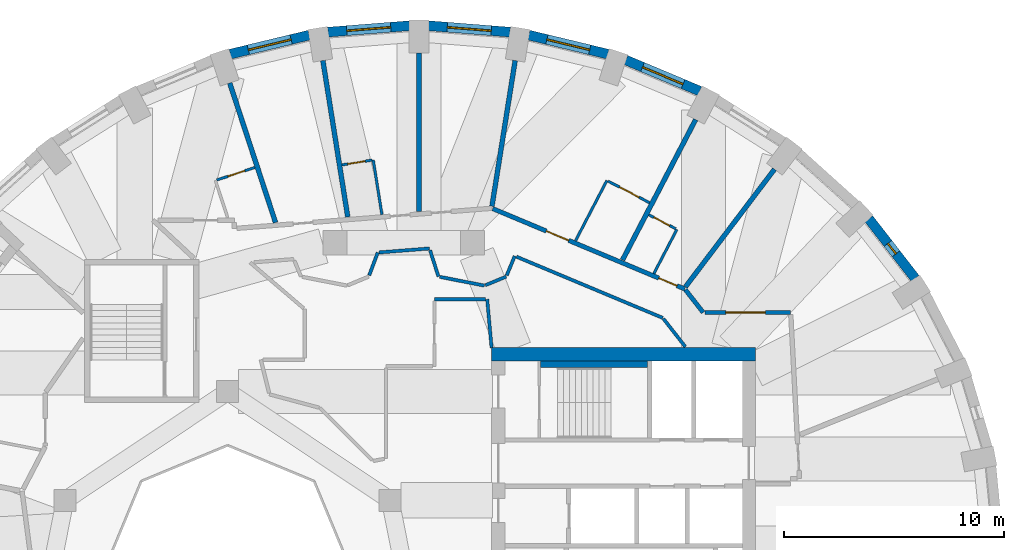
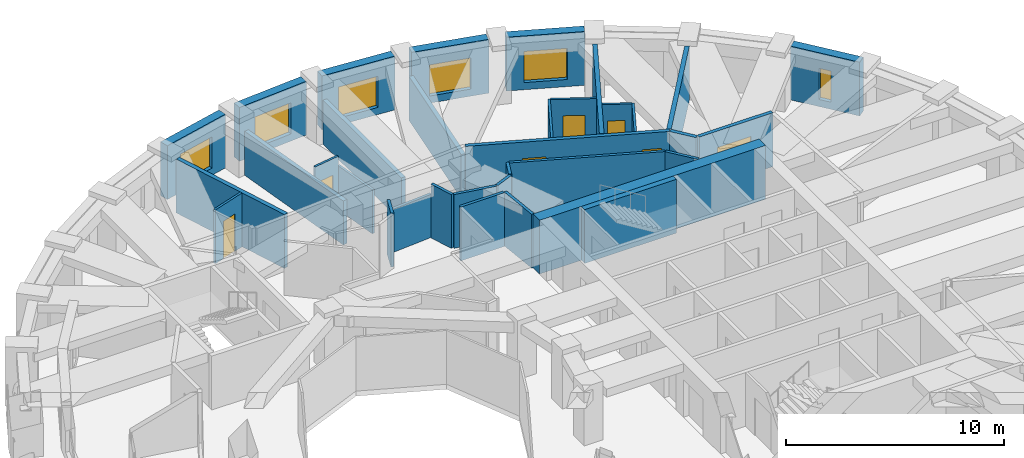
# One storey, part 8 of 12: 34 walls, 7 doors, 6 windows, 13 openings.
"""IFC4 building model written with IfcOpenShell, lengths in metres."""

from ifc_helpers import new_model, si_unit, direction, frame, frame_2d, origin, place, context, subcontext, project, spatial, rectangle, extrude, material, layer, layer_set, type_object, element, fill, save


model = new_model("IFC4")

# Units and contexts
model_context = context("Model", 3, precision=1e-05, world=origin(), true_north=direction((0.0, 1.0)))
body_context = subcontext(model_context, "Body", "Model", "MODEL_VIEW")
ifc_project = project(units=[si_unit("LENGTHUNIT", "METRE"), si_unit("AREAUNIT", "SQUARE_METRE"), si_unit("VOLUMEUNIT", "CUBIC_METRE"), si_unit("PLANEANGLEUNIT", "RADIAN"), si_unit("MASSUNIT", "GRAM", prefix="KILO")], contexts=[model_context])

# Site, building, storey
site_placement = place(None, origin())
site = spatial("IfcSite", under=ifc_project, at=site_placement, CompositionType="ELEMENT")
building_placement = place(site_placement, origin())
building = spatial("IfcBuilding", under=site, at=building_placement, Name="Taillehof Tower", CompositionType="ELEMENT")
storey_placement = place(building_placement, frame((0.0, 0.0, 199.10009765625)))
storey = spatial("IfcBuildingStorey", under=building, at=storey_placement, Name="L56", CompositionType="ELEMENT", Elevation=199.10009765625)

# Wall, opening, window
ifc_material_1 = material(Name="Brick masonry", Category="masonry")
ifc_layer_1 = layer(ifc_material_1, 0.449951171875)
ifc_layer_set_1 = layer_set([ifc_layer_1], Name="Brick infill wall 450")
wall_type_1 = type_object("IfcWallType", Name="Brick infill wall 450", PredefinedType="SOLIDWALL", material=ifc_layer_set_1)
wall_1_placement = place(storey_placement, frame((23.262939453125, 13.148193359375, 0.0), z_axis=(0.0, 0.0, 1.0), x_axis=(-0.614220816451, 0.789134201919, 0.0)))
wall_1 = element("IfcWall", 1, at=wall_1_placement, inside=storey, type_object=wall_type_1, Name="Brick wall L56 bay 4", PredefinedType="SOLIDWALL", context=body_context, shape_type="SweptSolid", body=[
    extrude(rectangle(XDim=3.437744140625, YDim=0.449951171875, at=frame_2d((1.71875, 0.0))), origin(), (0.0, 0.0, 1.0), 3.02001953125),
])
opening_1_placement = place(wall_1_placement, frame((1.4189453125, 0.0, 0.39990234375)))
opening_1 = element("IfcOpeningElement", 2, at=opening_1_placement, cuts=wall_1, Name="Opening W6", PredefinedType="OPENING", context=body_context, shape_type="SweptSolid", body=[
    extrude(rectangle(XDim=0.60009765625, YDim=1.75, at=frame_2d((0.300048828125, 0.875))), frame((0.0, 0.23486328125, 0.0), z_axis=(0.0, -1.0, 0.0), x_axis=(1.0, 0.0, 0.0)), (0.0, 0.0, 1.0), 0.469970703125),
])
ifc_material_2 = material(Name="Aluminium window frame with clear double glazing", Category="aluminium")
window_type_1 = type_object("IfcWindowType", Name="Slot window 600x1750", PartitioningType="SINGLE_PANEL", PredefinedType="WINDOW", material=ifc_material_2)
window_1_placement = place(opening_1_placement, origin())
window_1 = element("IfcWindow", 3, at=window_1_placement, inside=storey, type_object=window_type_1, Name="W6", OverallHeight=1.75, OverallWidth=0.60009765625, PartitioningType="SINGLE_PANEL", PredefinedType="WINDOW", context=body_context, shape_type="SweptSolid", body=[
    extrude(rectangle(XDim=0.60009765625, YDim=1.75, at=frame_2d((0.300048828125, 0.875))), frame((0.0, 0.034912109375, 0.0), z_axis=(0.0, -1.0, 0.0), x_axis=(1.0, 0.0, 0.0)), (0.0, 0.0, 1.0), 0.06005859375),
])
fill(opening_1, window_1)

wall_2_placement = place(storey_placement, frame((13.46923828125, 21.6669921875, 0.0), z_axis=(0.0, 0.0, 1.0), x_axis=(-0.922168222612, 0.386789050006, 0.0)))
wall_2 = element("IfcWall", 4, at=wall_2_placement, inside=storey, type_object=wall_type_1, Name="Brick wall L56 bay 7", PredefinedType="SOLIDWALL", context=body_context, shape_type="SweptSolid", body=[
    extrude(rectangle(XDim=3.65087890625, YDim=0.449951171875, at=frame_2d((1.825439453125, 0.0))), origin(), (0.0, 0.0, 1.0), 3.02001953125),
])
opening_2_placement = place(wall_2_placement, frame((0.825439453125, 0.0, 0.39990234375)))
opening_2 = element("IfcOpeningElement", 5, at=opening_2_placement, cuts=wall_2, Name="Opening W2", PredefinedType="OPENING", context=body_context, shape_type="SweptSolid", body=[
    extrude(rectangle(XDim=2.0, YDim=1.75, at=frame_2d((1.0, 0.875))), frame((0.0, 0.23486328125, 0.0), z_axis=(0.0, -1.0, 0.0), x_axis=(1.0, 0.0, 0.0)), (0.0, 0.0, 1.0), 0.469970703125),
])
ifc_material_3 = material(Name="Aluminium window frame with clear double glazing", Category="aluminium")
window_type_2 = type_object("IfcWindowType", Name="Deep-set window 2000x1750", PartitioningType="SINGLE_PANEL", PredefinedType="WINDOW", material=ifc_material_3)
window_2_placement = place(opening_2_placement, origin())
window_2 = element("IfcWindow", 6, at=window_2_placement, inside=storey, type_object=window_type_2, Name="W2", OverallHeight=1.75, OverallWidth=2.0, PartitioningType="SINGLE_PANEL", PredefinedType="WINDOW", context=body_context, shape_type="SweptSolid", body=[
    extrude(rectangle(XDim=2.0, YDim=1.75, at=frame_2d((1.0, 0.875))), frame((0.0, 0.034912109375, 0.0), z_axis=(0.0, -1.0, 0.0), x_axis=(1.0, 0.0, 0.0)), (0.0, 0.0, 1.0), 0.06005859375),
])
fill(opening_2, window_2)

wall_3_placement = place(storey_placement, frame((9.285400390625, 23.34716796875, 0.0), z_axis=(0.0, 0.0, 1.0), x_axis=(-0.972173533246, 0.234261864708, 0.0)))
wall_3 = element("IfcWall", 7, at=wall_3_placement, inside=storey, type_object=wall_type_1, Name="Brick wall L56 bay 8", PredefinedType="SOLIDWALL", context=body_context, shape_type="SweptSolid", body=[
    extrude(rectangle(XDim=3.697509765625, YDim=0.449951171875, at=frame_2d((1.8486328125, 0.0))), origin(), (0.0, 0.0, 1.0), 3.02001953125),
])
opening_3_placement = place(wall_3_placement, frame((0.848876953125, 0.0, 0.39990234375)))
opening_3 = element("IfcOpeningElement", 8, at=opening_3_placement, cuts=wall_3, Name="Opening W2", PredefinedType="OPENING", context=body_context, shape_type="SweptSolid", body=[
    extrude(rectangle(XDim=2.0, YDim=1.75, at=frame_2d((1.0, 0.875))), frame((0.0, 0.23486328125, 0.0), z_axis=(0.0, -1.0, 0.0), x_axis=(1.0, 0.0, 0.0)), (0.0, 0.0, 1.0), 0.469970703125),
])
window_3_placement = place(opening_3_placement, origin())
window_3 = element("IfcWindow", 9, at=window_3_placement, inside=storey, type_object=window_type_2, Name="W2", OverallHeight=1.75, OverallWidth=2.0, PartitioningType="SINGLE_PANEL", PredefinedType="WINDOW", context=body_context, shape_type="SweptSolid", body=[
    extrude(rectangle(XDim=2.0, YDim=1.75, at=frame_2d((1.0, 0.875))), frame((0.0, 0.034912109375, 0.0), z_axis=(0.0, -1.0, 0.0), x_axis=(1.0, 0.0, 0.0)), (0.0, 0.0, 1.0), 0.06005859375),
])
fill(opening_3, window_3)

wall_4_placement = place(storey_placement, frame((4.841064453125, 24.348388671875, 0.0), z_axis=(0.0, 0.0, 1.0), x_axis=(-0.996918697878, 0.078441760701, 0.0)))
wall_4 = element("IfcWall", 10, at=wall_4_placement, inside=storey, type_object=wall_type_1, Name="Brick wall L56 bay 9", PredefinedType="SOLIDWALL", context=body_context, shape_type="SweptSolid", body=[
    extrude(rectangle(XDim=3.722412109375, YDim=0.449951171875, at=frame_2d((1.861328125, 0.0))), origin(), (0.0, 0.0, 1.0), 3.02001953125),
])
opening_4_placement = place(wall_4_placement, frame((0.861328125, 0.0, 0.39990234375)))
opening_4 = element("IfcOpeningElement", 11, at=opening_4_placement, cuts=wall_4, Name="Opening W2", PredefinedType="OPENING", context=body_context, shape_type="SweptSolid", body=[
    extrude(rectangle(XDim=2.0, YDim=1.75, at=frame_2d((1.0, 0.875))), frame((0.0, 0.23486328125, 0.0), z_axis=(0.0, -1.0, 0.0), x_axis=(1.0, 0.0, 0.0)), (0.0, 0.0, 1.0), 0.469970703125),
])
window_4_placement = place(opening_4_placement, origin())
window_4 = element("IfcWindow", 12, at=window_4_placement, inside=storey, type_object=window_type_2, Name="W2", OverallHeight=1.75, OverallWidth=2.0, PartitioningType="SINGLE_PANEL", PredefinedType="WINDOW", context=body_context, shape_type="SweptSolid", body=[
    extrude(rectangle(XDim=2.0, YDim=1.75, at=frame_2d((1.0, 0.875))), frame((0.0, 0.034912109375, 0.0), z_axis=(0.0, -1.0, 0.0), x_axis=(1.0, 0.0, 0.0)), (0.0, 0.0, 1.0), 0.06005859375),
])
fill(opening_4, window_4)

wall_5_placement = place(storey_placement, frame((0.27001953125, 24.640380859375, 0.0), z_axis=(0.0, 0.0, 1.0), x_axis=(-0.996919101401, -0.078436632148, 0.0)))
wall_5 = element("IfcWall", 13, at=wall_5_placement, inside=storey, type_object=wall_type_1, Name="Brick wall L56 bay 10", PredefinedType="SOLIDWALL", context=body_context, shape_type="SweptSolid", body=[
    extrude(rectangle(XDim=3.72265625, YDim=0.449951171875, at=frame_2d((1.861328125, 0.0))), origin(), (0.0, 0.0, 1.0), 3.02001953125),
])
opening_5_placement = place(wall_5_placement, frame((0.861328125, 0.0, 0.39990234375)))
opening_5 = element("IfcOpeningElement", 14, at=opening_5_placement, cuts=wall_5, Name="Opening W2", PredefinedType="OPENING", context=body_context, shape_type="SweptSolid", body=[
    extrude(rectangle(XDim=2.0, YDim=1.75, at=frame_2d((1.0, 0.875))), frame((0.0, 0.23486328125, 0.0), z_axis=(0.0, -1.0, 0.0), x_axis=(1.0, 0.0, 0.0)), (0.0, 0.0, 1.0), 0.469970703125),
])
window_5_placement = place(opening_5_placement, origin())
window_5 = element("IfcWindow", 15, at=window_5_placement, inside=storey, type_object=window_type_2, Name="W2", OverallHeight=1.75, OverallWidth=2.0, PartitioningType="SINGLE_PANEL", PredefinedType="WINDOW", context=body_context, shape_type="SweptSolid", body=[
    extrude(rectangle(XDim=2.0, YDim=1.75, at=frame_2d((1.0, 0.875))), frame((0.0, 0.034912109375, 0.0), z_axis=(0.0, -1.0, 0.0), x_axis=(1.0, 0.0, 0.0)), (0.0, 0.0, 1.0), 0.06005859375),
])
fill(opening_5, window_5)

wall_6_placement = place(storey_placement, frame((-4.29052734375, 24.21337890625, 0.0), z_axis=(0.0, 0.0, 1.0), x_axis=(-0.972173533246, -0.234261864708, 0.0)))
wall_6 = element("IfcWall", 16, at=wall_6_placement, inside=storey, type_object=wall_type_1, Name="Brick wall L56 bay 11", PredefinedType="SOLIDWALL", context=body_context, shape_type="SweptSolid", body=[
    extrude(rectangle(XDim=3.697509765625, YDim=0.449951171875, at=frame_2d((1.8486328125, 0.0))), origin(), (0.0, 0.0, 1.0), 3.02001953125),
])
opening_6_placement = place(wall_6_placement, frame((0.848876953125, 0.0, 0.39990234375)))
opening_6 = element("IfcOpeningElement", 17, at=opening_6_placement, cuts=wall_6, Name="Opening W2", PredefinedType="OPENING", context=body_context, shape_type="SweptSolid", body=[
    extrude(rectangle(XDim=2.0, YDim=1.75, at=frame_2d((1.0, 0.875))), frame((0.0, 0.23486328125, 0.0), z_axis=(0.0, -1.0, 0.0), x_axis=(1.0, 0.0, 0.0)), (0.0, 0.0, 1.0), 0.469970703125),
])
window_6_placement = place(opening_6_placement, origin())
window_6 = element("IfcWindow", 18, at=window_6_placement, inside=storey, type_object=window_type_2, Name="W2", OverallHeight=1.75, OverallWidth=2.0, PartitioningType="SINGLE_PANEL", PredefinedType="WINDOW", context=body_context, shape_type="SweptSolid", body=[
    extrude(rectangle(XDim=2.0, YDim=1.75, at=frame_2d((1.0, 0.875))), frame((0.0, 0.034912109375, 0.0), z_axis=(0.0, -1.0, 0.0), x_axis=(1.0, 0.0, 0.0)), (0.0, 0.0, 1.0), 0.06005859375),
])
fill(opening_6, window_6)

# Wall, openings, doors
ifc_material_4 = material(Name="Gypsum board on steel studs, two layers each side", Category="steel")
ifc_layer_2 = layer(ifc_material_4, 0.199951171875)
ifc_layer_set_2 = layer_set([ifc_layer_2], Name="Compartment wall corridor 200")
wall_type_2 = type_object("IfcWallType", Name="Compartment wall corridor 200", PredefinedType="PARTITIONING", material=ifc_layer_set_2)
wall_7_placement = place(storey_placement, frame((4.052001953125, 16.32275390625, 0.0), z_axis=(0.0, 0.0, 1.0), x_axis=(0.922513794011, -0.385964117322, 0.0)))
wall_7 = element("IfcWall", 19, at=wall_7_placement, inside=storey, type_object=wall_type_2, Name="Compartment wall", PredefinedType="PARTITIONING", context=body_context, shape_type="SweptSolid", body=[
    extrude(rectangle(XDim=9.469970703125, YDim=0.199951171875, at=frame_2d((4.73486328125, 0.0))), origin(), (0.0, 0.0, 1.0), 3.02001953125),
])
opening_7_placement = place(wall_7_placement, frame((8.186279296875, 0.0, 0.0)))
opening_7 = element("IfcOpeningElement", 20, at=opening_7_placement, cuts=wall_7, Name="Opening D5640", PredefinedType="OPENING", context=body_context, shape_type="SweptSolid", body=[
    extrude(rectangle(XDim=0.89990234375, YDim=2.10009765625, at=frame_2d((0.449951171875, 1.050048828125))), frame((0.0, 0.10986328125, 0.0), z_axis=(0.0, -1.0, 0.0), x_axis=(1.0, 0.0, 0.0)), (0.0, 0.0, 1.0), 0.219970703125),
])
opening_8_placement = place(wall_7_placement, frame((2.63916015625, 0.0, 0.0)))
opening_8 = element("IfcOpeningElement", 21, at=opening_8_placement, cuts=wall_7, Name="Opening D5642", PredefinedType="OPENING", context=body_context, shape_type="SweptSolid", body=[
    extrude(rectangle(XDim=1.10009765625, YDim=2.10009765625, at=frame_2d((0.550048828125, 1.050048828125))), frame((0.0, 0.10986328125, 0.0), z_axis=(0.0, -1.0, 0.0), x_axis=(1.0, 0.0, 0.0)), (0.0, 0.0, 1.0), 0.219970703125),
])
ifc_material_5 = material(Name="Timber door leaf in steel frame", Category="steel")
door_type_1 = type_object("IfcDoorType", Name="Accessible guest room door EI 30 1100 x 2100", OperationType="SINGLE_SWING_LEFT", PredefinedType="DOOR", material=ifc_material_5)
door_1_placement = place(opening_8_placement, origin())
door_1 = element("IfcDoor", 22, at=door_1_placement, inside=storey, type_object=door_type_1, Name="D5642", OperationType="SINGLE_SWING_RIGHT", OverallHeight=2.10009765625, OverallWidth=1.10009765625, PredefinedType="DOOR", context=body_context, shape_type="SweptSolid", body=[
    extrude(rectangle(XDim=1.10009765625, YDim=2.10009765625, at=frame_2d((0.550048828125, 1.050048828125))), frame((0.0, 0.02490234375, 0.0), z_axis=(0.0, -1.0, 0.0), x_axis=(1.0, 0.0, 0.0)), (0.0, 0.0, 1.0), 0.050048828125),
])
fill(opening_8, door_1)
ifc_material_6 = material(Name="Timber door leaf in steel frame", Category="steel")
door_type_2 = type_object("IfcDoorType", Name="Guest room door EI 30 900 x 2100", OperationType="SINGLE_SWING_LEFT", PredefinedType="DOOR", material=ifc_material_6)
door_2_placement = place(opening_7_placement, origin())
door_2 = element("IfcDoor", 23, at=door_2_placement, inside=storey, type_object=door_type_2, Name="D5640", OperationType="SINGLE_SWING_LEFT", OverallHeight=2.10009765625, OverallWidth=0.89990234375, PredefinedType="DOOR", context=body_context, shape_type="SweptSolid", body=[
    extrude(rectangle(XDim=0.89990234375, YDim=2.10009765625, at=frame_2d((0.449951171875, 1.050048828125))), frame((0.0, 0.02490234375, 0.0), z_axis=(0.0, -1.0, 0.0), x_axis=(1.0, 0.0, 0.0)), (0.0, 0.0, 1.0), 0.050048828125),
])
fill(opening_7, door_2)

# Wall
wall_8_placement = place(storey_placement, frame((12.8125, 12.635986328125, 0.0), z_axis=(0.0, 0.0, 1.0), x_axis=(0.616123044723, -0.787649918277, 0.0)))
element("IfcWall", 24, at=wall_8_placement, inside=storey, type_object=wall_type_2, Name="Compartment wall", PredefinedType="PARTITIONING", context=body_context, shape_type="SweptSolid", body=[
    extrude(rectangle(XDim=1.315185546875, YDim=0.199951171875, at=frame_2d((0.65771484375, 0.0))), origin(), (0.0, 0.0, 1.0), 3.02001953125),
])

# Wall, opening, door
wall_9_placement = place(storey_placement, frame((13.702880859375, 11.60009765625, 0.0), z_axis=(0.0, 0.0, 1.0), x_axis=(1.0, 0.0, 0.0)))
wall_9 = element("IfcWall", 25, at=wall_9_placement, inside=storey, type_object=wall_type_2, Name="Compartment wall", PredefinedType="PARTITIONING", context=body_context, shape_type="SweptSolid", body=[
    extrude(rectangle(XDim=3.897216796875, YDim=0.199951171875, at=frame_2d((1.94873046875, 0.0))), origin(), (0.0, 0.0, 1.0), 3.02001953125),
])
opening_9_placement = place(wall_9_placement, frame((0.94775390625, 0.0, 0.0)))
opening_9 = element("IfcOpeningElement", 26, at=opening_9_placement, cuts=wall_9, Name="Opening D5665", PredefinedType="OPENING", context=body_context, shape_type="SweptSolid", body=[
    extrude(rectangle(XDim=1.800048828125, YDim=2.10009765625, at=frame_2d((0.89990234375, 1.050048828125))), frame((0.0, 0.10986328125, 0.0), z_axis=(0.0, -1.0, 0.0), x_axis=(1.0, 0.0, 0.0)), (0.0, 0.0, 1.0), 0.219970703125),
])
ifc_material_7 = material(Name="Timber door leaf in steel frame", Category="steel")
door_type_3 = type_object("IfcDoorType", Name="Lounge and meeting room double door EI 30 1800 x 2100", OperationType="SINGLE_SWING_LEFT", PredefinedType="DOOR", material=ifc_material_7)
door_3_placement = place(opening_9_placement, origin())
door_3 = element("IfcDoor", 27, at=door_3_placement, inside=storey, type_object=door_type_3, Name="D5665", OperationType="DOUBLE_DOOR_SINGLE_SWING", OverallHeight=2.10009765625, OverallWidth=1.800048828125, PredefinedType="DOOR", context=body_context, shape_type="SweptSolid", body=[
    extrude(rectangle(XDim=1.800048828125, YDim=2.10009765625, at=frame_2d((0.89990234375, 1.050048828125))), frame((0.0, 0.02490234375, 0.0), z_axis=(0.0, -1.0, 0.0), x_axis=(1.0, 0.0, 0.0)), (0.0, 0.0, 1.0), 0.050048828125),
])
fill(opening_9, door_3)

# Walls
ifc_material_8 = material(Name="Gypsum board on double steel studs with mineral wool", Category="steel")
ifc_layer_3 = layer(ifc_material_8, 0.219970703125)
ifc_layer_set_3 = layer_set([ifc_layer_3], Name="Compartment wall guest room 220")
wall_type_3 = type_object("IfcWallType", Name="Compartment wall guest room 220", PredefinedType="PARTITIONING", material=ifc_layer_set_3)
wall_10_placement = place(storey_placement, frame((16.86328125, 18.112548828125, 0.0), z_axis=(0.0, 0.0, 1.0), x_axis=(-0.603604669643, -0.797283765535, 0.0)))
element("IfcWall", 28, at=wall_10_placement, inside=storey, type_object=wall_type_3, Name="Compartment wall", PredefinedType="PARTITIONING", context=body_context, shape_type="SweptSolid", body=[
    extrude(rectangle(XDim=6.707275390625, YDim=0.219970703125, at=frame_2d((3.353515625, 0.0))), origin(), (0.0, 0.0, 1.0), 3.02001953125),
])
wall_11_placement = place(storey_placement, frame((13.278564453125, 20.369873046875, 0.0), z_axis=(0.0, 0.0, 1.0), x_axis=(-0.462003878414, -0.886877903846, 0.0)))
element("IfcWall", 29, at=wall_11_placement, inside=storey, type_object=wall_type_3, Name="Compartment wall", PredefinedType="PARTITIONING", context=body_context, shape_type="SweptSolid", body=[
    extrude(rectangle(XDim=7.199951171875, YDim=0.219970703125, at=frame_2d((3.60009765625, 0.0))), origin(), (0.0, 0.0, 1.0), 3.02001953125),
])
wall_12_placement = place(storey_placement, frame((5.071044921875, 23.05615234375, 0.0), z_axis=(0.0, 0.0, 1.0), x_axis=(-0.15710052893, -0.987582616195, 0.0)))
element("IfcWall", 30, at=wall_12_placement, inside=storey, type_object=wall_type_3, Name="Compartment wall", PredefinedType="PARTITIONING", context=body_context, shape_type="SweptSolid", body=[
    extrude(rectangle(XDim=6.708740234375, YDim=0.219970703125, at=frame_2d((3.3544921875, 0.0))), origin(), (0.0, 0.0, 1.0), 2.469970703125),
])
for number, where, z_axis, x_axis, name in (
    (31, (0.699951171875, 23.39990234375, 0.0), (0.0, 0.0, 1.0), (0.0, -1.0, 0.0), "Compartment wall"),
    (32, (-3.6708984375, 23.05615234375, 0.0), (0.0, 0.0, 1.0), (0.157099267894, -0.987582816794, 0.0), "Compartment wall"),
):
    element("IfcWall", number, at=place(storey_placement, frame(where, z_axis=z_axis, x_axis=x_axis)), inside=storey, type_object=wall_type_3, Name=name, PredefinedType="PARTITIONING", context=body_context, shape_type="SweptSolid", body=[
        extrude(rectangle(XDim=7.201416015625, YDim=0.219970703125, at=frame_2d((3.6005859375, 0.0))), origin(), (0.0, 0.0, 1.0), 2.469970703125),
    ])
wall_13_placement = place(storey_placement, frame((-7.9072265625, 22.035400390625, 0.0), z_axis=(0.0, 0.0, 1.0), x_axis=(0.311972412811, -0.950091160702, 0.0)))
element("IfcWall", 33, at=wall_13_placement, inside=storey, type_object=wall_type_3, Name="Compartment wall", PredefinedType="PARTITIONING", context=body_context, shape_type="SweptSolid", body=[
    extrude(rectangle(XDim=6.68310546875, YDim=0.219970703125, at=frame_2d((3.341552734375, 0.0))), origin(), (0.0, 0.0, 1.0), 3.02001953125),
])
ifc_material_9 = material(Name="Calcium silicate masonry", Category="masonry")
ifc_layer_4 = layer(ifc_material_9, 0.300048828125)
ifc_layer_set_4 = layer_set([ifc_layer_4], Name="Compartment wall lining calcium silicate 300")
wall_type_4 = type_object("IfcWallType", Name="Compartment wall lining calcium silicate 300", PredefinedType="PARTITIONING", material=ifc_layer_set_4)
wall_14_placement = place(storey_placement, frame((6.219970703125, 9.25, 0.0), z_axis=(0.0, 0.0, 1.0), x_axis=(1.0, 0.0, 0.0)))
element("IfcWall", 34, at=wall_14_placement, inside=storey, type_object=wall_type_4, Name="Compartment wall FW", PredefinedType="PARTITIONING", context=body_context, shape_type="SweptSolid", body=[
    extrude(rectangle(XDim=4.880126953125, YDim=0.300048828125, at=frame_2d((2.43994140625, 0.0))), origin(), (0.0, 0.0, 1.0), 3.02001953125),
])
ifc_material_10 = material(Name="Gypsum board on steel studs, two layers each side", Category="steel")
ifc_layer_5 = layer(ifc_material_10, 0.14990234375)
ifc_layer_set_5 = layer_set([ifc_layer_5], Name="Compartment wall service room 150")
wall_type_5 = type_object("IfcWallType", Name="Compartment wall service room 150", PredefinedType="PARTITIONING", material=ifc_layer_set_5)
wall_15_placement = place(storey_placement, frame((4.0, 9.9990234375, 0.0), z_axis=(0.0, 0.0, 1.0), x_axis=(-0.090475982725, 0.995898637689, 0.0)))
element("IfcWall", 35, at=wall_15_placement, inside=storey, type_object=wall_type_5, Name="Compartment wall", PredefinedType="PARTITIONING", context=body_context, shape_type="SweptSolid", body=[
    extrude(rectangle(XDim=2.2099609375, YDim=0.14990234375, at=frame_2d((1.10498046875, 0.0))), origin(), (0.0, 0.0, 1.0), 3.02001953125),
])
wall_16_placement = place(storey_placement, frame((3.719970703125, 12.199951171875, 0.0), z_axis=(0.0, 0.0, 1.0), x_axis=(-1.0, 0.0, 0.0)))
element("IfcWall", 36, at=wall_16_placement, inside=storey, type_object=wall_type_5, Name="Compartment wall", PredefinedType="PARTITIONING", context=body_context, shape_type="SweptSolid", body=[
    extrude(rectangle(XDim=2.320068359375, YDim=0.14990234375, at=frame_2d((1.16015625, 0.0))), origin(), (0.0, 0.0, 1.0), 3.02001953125),
])
wall_17_placement = place(storey_placement, frame((-1.564453125, 13.28857421875, 0.0), z_axis=(0.0, 0.0, 1.0), x_axis=(0.350857754205, 0.936428767347, 0.0)))
element("IfcWall", 37, at=wall_17_placement, inside=storey, type_object=wall_type_5, Name="Compartment wall", PredefinedType="PARTITIONING", context=body_context, shape_type="SweptSolid", body=[
    extrude(rectangle(XDim=1.107666015625, YDim=0.14990234375, at=frame_2d((0.5537109375, 0.0))), origin(), (0.0, 0.0, 1.0), 3.02001953125),
])
wall_18_placement = place(storey_placement, frame((-1.11572265625, 14.330322265625, 0.0), z_axis=(0.0, 0.0, 1.0), x_axis=(0.99692309845, 0.078385813622, 0.0)))
element("IfcWall", 38, at=wall_18_placement, inside=storey, type_object=wall_type_5, Name="Compartment wall", PredefinedType="PARTITIONING", context=body_context, shape_type="SweptSolid", body=[
    extrude(rectangle(XDim=2.298583984375, YDim=0.14990234375, at=frame_2d((1.1494140625, 0.0))), origin(), (0.0, 0.0, 1.0), 2.419921875),
])
wall_19_placement = place(storey_placement, frame((1.2001953125, 14.434326171875, 0.0), z_axis=(0.0, 0.0, 1.0), x_axis=(0.30535807655, -0.952237599072, 0.0)))
element("IfcWall", 39, at=wall_19_placement, inside=storey, type_object=wall_type_5, Name="Compartment wall", PredefinedType="PARTITIONING", context=body_context, shape_type="SweptSolid", body=[
    extrude(rectangle(XDim=1.262451171875, YDim=0.14990234375, at=frame_2d((0.63134765625, 0.0))), origin(), (0.0, 0.0, 1.0), 3.02001953125),
])
wall_20_placement = place(storey_placement, frame((1.644287109375, 13.220458984375, 0.0), z_axis=(0.0, 0.0, 1.0), x_axis=(0.981304142817, -0.192463449234, 0.0)))
element("IfcWall", 40, at=wall_20_placement, inside=storey, type_object=wall_type_5, Name="Compartment wall", PredefinedType="PARTITIONING", context=body_context, shape_type="SweptSolid", body=[
    extrude(rectangle(XDim=2.0703125, YDim=0.14990234375, at=frame_2d((1.03515625, 0.0))), origin(), (0.0, 0.0, 1.0), 3.02001953125),
])
wall_21_placement = place(storey_placement, frame((3.712890625, 12.837158203125, 0.0), z_axis=(0.0, 0.0, 1.0), x_axis=(0.923768662954, 0.382950985565, 0.0)))
element("IfcWall", 41, at=wall_21_placement, inside=storey, type_object=wall_type_5, Name="Compartment wall", PredefinedType="PARTITIONING", context=body_context, shape_type="SweptSolid", body=[
    extrude(rectangle(XDim=1.031494140625, YDim=0.14990234375, at=frame_2d((0.515625, 0.0))), origin(), (0.0, 0.0, 1.0), 3.02001953125),
])
wall_22_placement = place(storey_placement, frame((4.6884765625, 13.287841796875, 0.0), z_axis=(0.0, 0.0, 1.0), x_axis=(0.382961780444, 0.923764187831, 0.0)))
element("IfcWall", 42, at=wall_22_placement, inside=storey, type_object=wall_type_5, Name="Compartment wall", PredefinedType="PARTITIONING", context=body_context, shape_type="SweptSolid", body=[
    extrude(rectangle(XDim=0.954345703125, YDim=0.14990234375, at=frame_2d((0.47705078125, 0.0))), origin(), (0.0, 0.0, 1.0), 3.02001953125),
])
wall_23_placement = place(storey_placement, frame((5.128173828125, 14.13818359375, 0.0), z_axis=(0.0, 0.0, 1.0), x_axis=(0.922514397623, -0.385962674591, 0.0)))
element("IfcWall", 43, at=wall_23_placement, inside=storey, type_object=wall_type_5, Name="Compartment wall", PredefinedType="PARTITIONING", context=body_context, shape_type="SweptSolid", body=[
    extrude(rectangle(XDim=7.216064453125, YDim=0.14990234375, at=frame_2d((3.60791015625, 0.0))), origin(), (0.0, 0.0, 1.0), 3.02001953125),
])
wall_24_placement = place(storey_placement, frame((11.8095703125, 11.3212890625, 0.0), z_axis=(0.0, 0.0, 1.0), x_axis=(0.615964296608, -0.787774069962, 0.0)))
element("IfcWall", 44, at=wall_24_placement, inside=storey, type_object=wall_type_5, Name="Compartment wall", PredefinedType="PARTITIONING", context=body_context, shape_type="SweptSolid", body=[
    extrude(rectangle(XDim=1.626953125, YDim=0.14990234375, at=frame_2d((0.8134765625, 0.0))), origin(), (0.0, 0.0, 1.0), 3.02001953125),
])
ifc_material_11 = material(Name="Concrete C80/95", Category="concrete")
ifc_layer_6 = layer(ifc_material_11, 0.60009765625)
ifc_layer_set_6 = layer_set([ifc_layer_6], Name="Core wall C80/95 600")
wall_type_6 = type_object("IfcWallType", Name="Core wall C80/95 600", PredefinedType="SHEAR", material=ifc_layer_set_6)
wall_25_placement = place(storey_placement, frame((4.0, 9.699951171875, 0.0), z_axis=(0.0, 0.0, 1.0), x_axis=(1.0, 0.0, 0.0)))
element("IfcWall", 45, at=wall_25_placement, inside=storey, type_object=wall_type_6, Name="Core wall CW06", PredefinedType="SHEAR", context=body_context, shape_type="SweptSolid", body=[
    extrude(rectangle(XDim=12.0, YDim=0.60009765625, at=frame_2d((6.0, 0.0))), origin(), (0.0, 0.0, 1.0), 3.02001953125),
])
ifc_material_12 = material(Name="Gypsum board on steel studs, moisture resistant", Category="steel")
ifc_layer_7 = layer(ifc_material_12, 0.1201171875)
ifc_layer_set_7 = layer_set([ifc_layer_7], Name="En-suite wall 120")
wall_type_7 = type_object("IfcWallType", Name="En-suite wall 120", PredefinedType="PARTITIONING", material=ifc_layer_set_7)
wall_26_placement = place(storey_placement, frame((11.3779296875, 13.3662109375, 0.0), z_axis=(0.0, 0.0, 1.0), x_axis=(0.461999655972, 0.886880103442, 0.0)))
element("IfcWall", 46, at=wall_26_placement, inside=storey, type_object=wall_type_7, Name="En-suite wall", PredefinedType="PARTITIONING", context=body_context, shape_type="SweptSolid", body=[
    extrude(rectangle(XDim=2.26904296875, YDim=0.1201171875, at=frame_2d((1.134521484375, 0.0))), origin(), (0.0, 0.0, 1.0), 3.02001953125),
])
wall_27_placement = place(storey_placement, frame((7.813720703125, 14.857421875, 0.0), z_axis=(0.0, 0.0, 1.0), x_axis=(0.461958994047, 0.886901284146, 0.0)))
element("IfcWall", 47, at=wall_27_placement, inside=storey, type_object=wall_type_7, Name="En-suite wall", PredefinedType="PARTITIONING", context=body_context, shape_type="SweptSolid", body=[
    extrude(rectangle(XDim=3.09326171875, YDim=0.1201171875, at=frame_2d((1.546630859375, 0.0))), origin(), (0.0, 0.0, 1.0), 3.02001953125),
])
wall_28_placement = place(storey_placement, frame((-0.986083984375, 16.0458984375, 0.0), z_axis=(0.0, 0.0, 1.0), x_axis=(-0.157145077254, 0.987575528603, 0.0)))
element("IfcWall", 48, at=wall_28_placement, inside=storey, type_object=wall_type_7, Name="En-suite wall", PredefinedType="PARTITIONING", context=body_context, shape_type="SweptSolid", body=[
    extrude(rectangle(XDim=2.52294921875, YDim=0.1201171875, at=frame_2d((1.261474609375, 0.0))), origin(), (0.0, 0.0, 1.0), 2.469970703125),
])

# Wall, opening, door
wall_29_placement = place(storey_placement, frame((12.373046875, 15.406494140625, 0.0), z_axis=(0.0, 0.0, 1.0), x_axis=(-0.88690955386, 0.461943116922, 0.0)))
wall_29 = element("IfcWall", 49, at=wall_29_placement, inside=storey, type_object=wall_type_7, Name="En-suite wall", PredefinedType="PARTITIONING", context=body_context, shape_type="SweptSolid", body=[
    extrude(rectangle(XDim=1.3798828125, YDim=0.1201171875, at=frame_2d((0.68994140625, 0.0))), origin(), (0.0, 0.0, 1.0), 3.02001953125),
])
opening_10_placement = place(wall_29_placement, frame((0.31494140625, 0.0, 0.0)))
opening_10 = element("IfcOpeningElement", 50, at=opening_10_placement, cuts=wall_29, Name="Opening D5641", PredefinedType="OPENING", context=body_context, shape_type="SweptSolid", body=[
    extrude(rectangle(XDim=0.800048828125, YDim=2.10009765625, at=frame_2d((0.39990234375, 1.050048828125))), frame((0.0, 0.070068359375, 0.0), z_axis=(0.0, -1.0, 0.0), x_axis=(1.0, 0.0, 0.0)), (0.0, 0.0, 1.0), 0.14013671875),
])
ifc_material_13 = material(Name="Timber door leaf in steel frame", Category="steel")
door_type_4 = type_object("IfcDoorType", Name="En-suite door 800 x 2100", OperationType="SINGLE_SWING_LEFT", PredefinedType="DOOR", material=ifc_material_13)
door_4_placement = place(opening_10_placement, origin())
door_4 = element("IfcDoor", 51, at=door_4_placement, inside=storey, type_object=door_type_4, Name="D5641", OperationType="SINGLE_SWING_LEFT", OverallHeight=2.10009765625, OverallWidth=0.800048828125, PredefinedType="DOOR", context=body_context, shape_type="SweptSolid", body=[
    extrude(rectangle(XDim=0.800048828125, YDim=2.10009765625, at=frame_2d((0.39990234375, 1.050048828125))), frame((0.0, 0.02490234375, 0.0), z_axis=(0.0, -1.0, 0.0), x_axis=(1.0, 0.0, 0.0)), (0.0, 0.0, 1.0), 0.050048828125),
])
fill(opening_10, door_4)

wall_30_placement = place(storey_placement, frame((9.2958984375, 17.572998046875, 0.0), z_axis=(0.0, 0.0, 1.0), x_axis=(0.88685243949, -0.462052757346, 0.0)))
wall_30 = element("IfcWall", 52, at=wall_30_placement, inside=storey, type_object=wall_type_7, Name="En-suite wall", PredefinedType="PARTITIONING", context=body_context, shape_type="SweptSolid", body=[
    extrude(rectangle(XDim=2.1298828125, YDim=0.1201171875, at=frame_2d((1.06494140625, 0.0))), origin(), (0.0, 0.0, 1.0), 3.02001953125),
])
opening_11_placement = place(wall_30_placement, frame((0.58984375, 0.0, 0.0)))
opening_11 = element("IfcOpeningElement", 53, at=opening_11_placement, cuts=wall_30, Name="Opening D5643", PredefinedType="OPENING", context=body_context, shape_type="SweptSolid", body=[
    extrude(rectangle(XDim=1.0, YDim=2.10009765625, at=frame_2d((0.5, 1.050048828125))), frame((0.0, 0.070068359375, 0.0), z_axis=(0.0, -1.0, 0.0), x_axis=(1.0, 0.0, 0.0)), (0.0, 0.0, 1.0), 0.14013671875),
])
ifc_material_14 = material(Name="Timber door leaf in steel frame", Category="steel")
door_type_5 = type_object("IfcDoorType", Name="Accessible en-suite door 1000 x 2100", OperationType="SINGLE_SWING_LEFT", PredefinedType="DOOR", material=ifc_material_14)
door_5_placement = place(opening_11_placement, origin())
door_5 = element("IfcDoor", 54, at=door_5_placement, inside=storey, type_object=door_type_5, Name="D5643", OperationType="SINGLE_SWING_RIGHT", OverallHeight=2.10009765625, OverallWidth=1.0, PredefinedType="DOOR", context=body_context, shape_type="SweptSolid", body=[
    extrude(rectangle(XDim=1.0, YDim=2.10009765625, at=frame_2d((0.5, 1.050048828125))), frame((0.0, 0.02490234375, 0.0), z_axis=(0.0, -1.0, 0.0), x_axis=(1.0, 0.0, 0.0)), (0.0, 0.0, 1.0), 0.050048828125),
])
fill(opening_11, door_5)

wall_31_placement = place(storey_placement, frame((-1.44189453125, 18.528076171875, 0.0), z_axis=(0.0, 0.0, 1.0), x_axis=(-0.98760899043, -0.156934642514, 0.0)))
wall_31 = element("IfcWall", 55, at=wall_31_placement, inside=storey, type_object=wall_type_7, Name="En-suite wall", PredefinedType="PARTITIONING", context=body_context, shape_type="SweptSolid", body=[
    extrude(rectangle(XDim=1.3798828125, YDim=0.1201171875, at=frame_2d((0.68994140625, 0.0))), origin(), (0.0, 0.0, 1.0), 3.02001953125),
])
opening_12_placement = place(wall_31_placement, frame((0.31494140625, 0.0, 0.0)))
opening_12 = element("IfcOpeningElement", 56, at=opening_12_placement, cuts=wall_31, Name="Opening D5646", PredefinedType="OPENING", context=body_context, shape_type="SweptSolid", body=[
    extrude(rectangle(XDim=0.800048828125, YDim=2.10009765625, at=frame_2d((0.39990234375, 1.050048828125))), frame((0.0, 0.070068359375, 0.0), z_axis=(0.0, -1.0, 0.0), x_axis=(1.0, 0.0, 0.0)), (0.0, 0.0, 1.0), 0.14013671875),
])
door_6_placement = place(opening_12_placement, origin())
door_6 = element("IfcDoor", 57, at=door_6_placement, inside=storey, type_object=door_type_4, Name="D5646", OperationType="SINGLE_SWING_LEFT", OverallHeight=2.10009765625, OverallWidth=0.800048828125, PredefinedType="DOOR", context=body_context, shape_type="SweptSolid", body=[
    extrude(rectangle(XDim=0.800048828125, YDim=2.10009765625, at=frame_2d((0.39990234375, 1.050048828125))), frame((0.0, 0.02490234375, 0.0), z_axis=(0.0, -1.0, 0.0), x_axis=(1.0, 0.0, 0.0)), (0.0, 0.0, 1.0), 0.050048828125),
])
fill(opening_12, door_6)

wall_32_placement = place(storey_placement, frame((-8.50048828125, 17.623779296875, 0.0), z_axis=(0.0, 0.0, 1.0), x_axis=(0.95011423119, 0.311902144415, 0.0)))
wall_32 = element("IfcWall", 58, at=wall_32_placement, inside=storey, type_object=wall_type_7, Name="En-suite wall", PredefinedType="PARTITIONING", context=body_context, shape_type="SweptSolid", body=[
    extrude(rectangle(XDim=1.830078125, YDim=0.1201171875, at=frame_2d((0.9150390625, 0.0))), origin(), (0.0, 0.0, 1.0), 3.02001953125),
])
opening_13_placement = place(wall_32_placement, frame((0.5400390625, 0.0, 0.0)))
opening_13 = element("IfcOpeningElement", 59, at=opening_13_placement, cuts=wall_32, Name="Opening D5649", PredefinedType="OPENING", context=body_context, shape_type="SweptSolid", body=[
    extrude(rectangle(XDim=0.800048828125, YDim=2.10009765625, at=frame_2d((0.39990234375, 1.050048828125))), frame((0.0, 0.070068359375, 0.0), z_axis=(0.0, -1.0, 0.0), x_axis=(1.0, 0.0, 0.0)), (0.0, 0.0, 1.0), 0.14013671875),
])
door_7_placement = place(opening_13_placement, origin())
door_7 = element("IfcDoor", 60, at=door_7_placement, inside=storey, type_object=door_type_4, Name="D5649", OperationType="SINGLE_SWING_RIGHT", OverallHeight=2.10009765625, OverallWidth=0.800048828125, PredefinedType="DOOR", context=body_context, shape_type="SweptSolid", body=[
    extrude(rectangle(XDim=0.800048828125, YDim=2.10009765625, at=frame_2d((0.39990234375, 1.050048828125))), frame((0.0, 0.02490234375, 0.0), z_axis=(0.0, -1.0, 0.0), x_axis=(1.0, 0.0, 0.0)), (0.0, 0.0, 1.0), 0.050048828125),
])
fill(opening_13, door_7)

save(model, "model.ifc")
